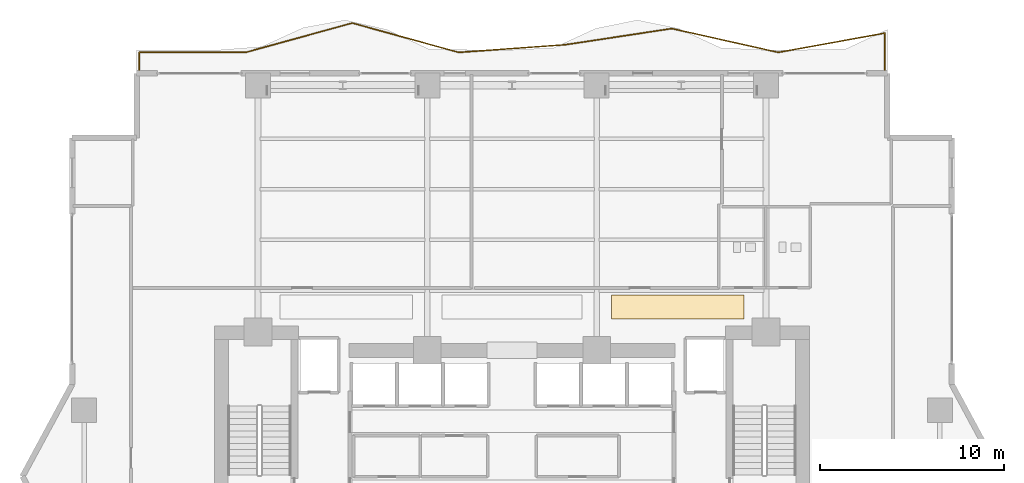
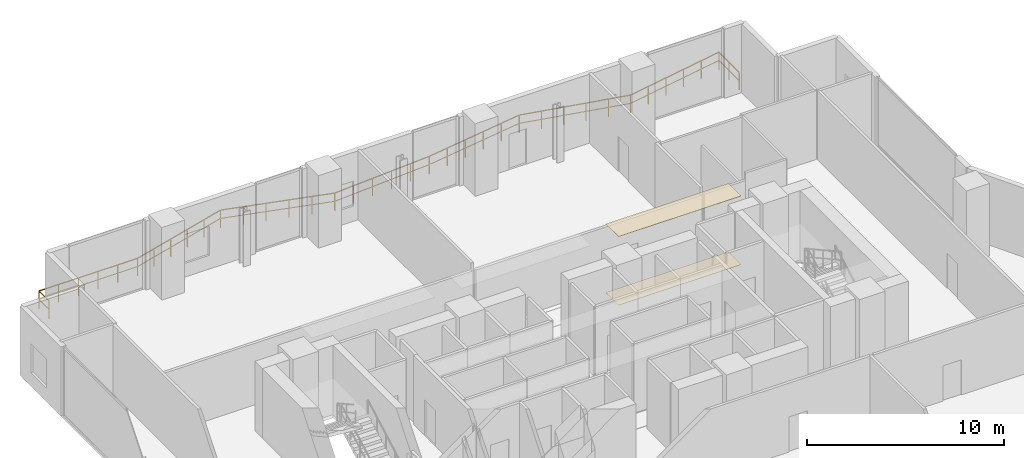
# One storey, part 32 of 33: 2 coverings, 1 railing.
"""IFC4 building model written with IfcOpenShell, lengths in metres."""

from ifc_helpers import new_model, si_unit, direction, frame, origin, origin_2d, place, context, subcontext, project, spatial, polyline, rectangle, outline, extrude, material, layer, layer_set, type_object, element, save


model = new_model("IFC4")

# Units and contexts
model_context = context("Model", 3, precision=1e-05, world=origin(), true_north=direction((0.0, 1.0)))
body_context = subcontext(model_context, "Body", "Model", "MODEL_VIEW")
ifc_project = project(units=[si_unit("LENGTHUNIT", "METRE"), si_unit("AREAUNIT", "SQUARE_METRE"), si_unit("VOLUMEUNIT", "CUBIC_METRE"), si_unit("PLANEANGLEUNIT", "RADIAN"), si_unit("MASSUNIT", "GRAM", prefix="KILO")], contexts=[model_context])

# Site, building, storey
site_placement = place(None, origin())
site = spatial("IfcSite", under=ifc_project, at=site_placement, CompositionType="ELEMENT")
building_placement = place(site_placement, origin())
building = spatial("IfcBuilding", under=site, at=building_placement, Name="Zuhayl Quay Hotel", CompositionType="ELEMENT")
storey_placement = place(building_placement, frame((0.0, 0.0, 154.050048828125)))
storey = spatial("IfcBuildingStorey", under=building, at=storey_placement, Name="L39", CompositionType="ELEMENT", Elevation=154.050048828125)

# Coverings
ifc_material_1 = material(Name="Acoustic Mineral-Fibre Gypsum Board")
ifc_layer_1 = layer(ifc_material_1, 0.02490234375, Name="Acoustic Mineral-Fibre Gypsum Board")
ifc_layer_set_1 = layer_set([ifc_layer_1], Name="Acoustic Mineral-Fibre Gypsum Board")
covering_type_1 = type_object("IfcCoveringType", Name="CV_CEIL_ACOUSTIC", PredefinedType="CEILING", material=ifc_layer_set_1)
covering_1_placement = place(storey_placement, frame((0.0, 0.0, 4.2548828125)))
element("IfcCovering", 1, at=covering_1_placement, inside=storey, type_object=covering_type_1, Name="L39 Guest Corridor Acoustic Ceiling CE", PredefinedType="CEILING", context=body_context, shape_type="SweptSolid", body=[
    extrude(outline(polyline([(5.39990234375, 15.050048828125), (12.60009765625, 15.050048828125), (12.60009765625, 16.35009765625), (5.39990234375, 16.35009765625), (5.39990234375, 15.050048828125)])), origin(), (0.0, 0.0, 1.0), 0.025146484375),
])
ifc_material_2 = material(Name="Polished Limestone Terrazzo", Category="masonry")
ifc_layer_2 = layer(ifc_material_2, 0.02001953125, Name="Polished Limestone Terrazzo", Category="masonry")
ifc_layer_set_2 = layer_set([ifc_layer_2], Name="Polished Limestone Terrazzo")
covering_type_2 = type_object("IfcCoveringType", Name="CV_FLOOR_TERRAZZO", PredefinedType="FLOORING", material=ifc_layer_set_2)
covering_2_placement = place(storey_placement, origin())
element("IfcCovering", 2, at=covering_2_placement, inside=storey, type_object=covering_type_2, Name="L39 Guest Corridor Terrazzo Runner CE", PredefinedType="FLOORING", context=body_context, shape_type="SweptSolid", body=[
    extrude(outline(polyline([(5.39990234375, 15.050048828125), (12.60009765625, 15.050048828125), (12.60009765625, 16.35009765625), (5.39990234375, 16.35009765625), (5.39990234375, 15.050048828125)])), origin(), (0.0, 0.0, 1.0), 0.02001953125),
])

# Railing
ifc_material_3 = material(Name="Anodised Aluminium and Laminated Glass", Category="aluminium")
railing_type = type_object("IfcRailingType", Name="RL_EXT_BAL_1100", PredefinedType="BALUSTRADE", material=ifc_material_3)
railing_placement = place(storey_placement, frame((-20.260009765625, 28.52001953125, 0.0)))
element("IfcRailing", 3, at=railing_placement, inside=storey, type_object=railing_type, Name="L39 Balcony and Terrace Guard GR_L39_BAL_N", PredefinedType="BALUSTRADE", context=body_context, shape_type="SweptSolid", body=[
    extrude(rectangle(XDim=0.048095703125, YDim=0.048095703125, at=origin_2d()), frame((0.0, 0.0, 1.09619140625), z_axis=(0.0, 1.0, 0.0), x_axis=(-1.0, 0.0, 0.0)), (0.0, 0.0, 1.0), 1.02001953125),
    extrude(rectangle(XDim=0.0361328125, YDim=0.0361328125, at=origin_2d()), frame((0.0, 0.0, 0.58251953125), z_axis=(0.0, 1.0, 0.0), x_axis=(-1.0, 0.0, 0.0)), (0.0, 0.0, 1.0), 1.02001953125),
    extrude(rectangle(XDim=0.048095703125, YDim=0.048095703125, at=origin_2d()), frame((0.0, 1.02001953125, 1.09619140625), z_axis=(1.0, 0.0, 0.0), x_axis=(0.0, 1.0, 0.0)), (0.0, 0.0, 1.0), 5.78857421875),
    extrude(rectangle(XDim=0.0361328125, YDim=0.0361328125, at=origin_2d()), frame((0.0, 1.02001953125, 0.58251953125), z_axis=(1.0, 0.0, 0.0), x_axis=(0.0, 1.0, 0.0)), (0.0, 0.0, 1.0), 5.78857421875),
    extrude(rectangle(XDim=0.048095703125, YDim=0.048095703125, at=origin_2d()), frame((5.78857421875, 1.02001953125, 1.09619140625), z_axis=(0.964103961857, 0.265525047277, 0.0), x_axis=(-0.265525047277, 0.964103961857, 0.0)), (0.0, 0.0, 1.0), 6.004150390625),
    extrude(rectangle(XDim=0.0361328125, YDim=0.0361328125, at=origin_2d()), frame((5.78857421875, 1.02001953125, 0.58251953125), z_axis=(0.964103961857, 0.265525047277, 0.0), x_axis=(-0.265525047277, 0.964103961857, 0.0)), (0.0, 0.0, 1.0), 6.004150390625),
    extrude(rectangle(XDim=0.048095703125, YDim=0.048095703125, at=origin_2d()), frame((11.5771484375, 2.6142578125, 1.09619140625), z_axis=(0.964103961857, -0.265525047277, 0.0), x_axis=(0.265525047277, 0.964103961857, 0.0)), (0.0, 0.0, 1.0), 6.004150390625),
    extrude(rectangle(XDim=0.0361328125, YDim=0.0361328125, at=origin_2d()), frame((11.5771484375, 2.6142578125, 0.58251953125), z_axis=(0.964103961857, -0.265525047277, 0.0), x_axis=(0.265525047277, 0.964103961857, 0.0)), (0.0, 0.0, 1.0), 6.004150390625),
    extrude(rectangle(XDim=0.048095703125, YDim=0.048095703125, at=origin_2d()), frame((17.36572265625, 1.02001953125, 1.09619140625), z_axis=(0.997424418504, 0.071725374675, 0.0), x_axis=(-0.071725374675, 0.997424418504, 0.0)), (0.0, 0.0, 1.0), 5.803466796875),
    extrude(rectangle(XDim=0.0361328125, YDim=0.0361328125, at=origin_2d()), frame((17.36572265625, 1.02001953125, 0.58251953125), z_axis=(0.997424418504, 0.071725374675, 0.0), x_axis=(-0.071725374675, 0.997424418504, 0.0)), (0.0, 0.0, 1.0), 5.803466796875),
    extrude(rectangle(XDim=0.048095703125, YDim=0.048095703125, at=origin_2d()), frame((23.154296875, 1.436279296875, 1.09619140625), z_axis=(0.988711947824, 0.14982884979, 0.0), x_axis=(-0.14982884979, 0.988711947824, 0.0)), (0.0, 0.0, 1.0), 5.854736328125),
    extrude(rectangle(XDim=0.0361328125, YDim=0.0361328125, at=origin_2d()), frame((23.154296875, 1.436279296875, 0.58251953125), z_axis=(0.988711947824, 0.14982884979, 0.0), x_axis=(-0.14982884979, 0.988711947824, 0.0)), (0.0, 0.0, 1.0), 5.854736328125),
    extrude(rectangle(XDim=0.048095703125, YDim=0.048095703125, at=origin_2d()), frame((28.94287109375, 2.3134765625, 1.09619140625), z_axis=(0.975932645512, -0.21807217022, 0.0), x_axis=(0.21807217022, 0.975932645512, 0.0)), (0.0, 0.0, 1.0), 5.931396484375),
    extrude(rectangle(XDim=0.0361328125, YDim=0.0361328125, at=origin_2d()), frame((28.94287109375, 2.3134765625, 0.58251953125), z_axis=(0.975932645512, -0.21807217022, 0.0), x_axis=(0.21807217022, 0.975932645512, 0.0)), (0.0, 0.0, 1.0), 5.931396484375),
    extrude(rectangle(XDim=0.048095703125, YDim=0.048095703125, at=origin_2d()), frame((34.7314453125, 1.02001953125, 1.09619140625), z_axis=(0.984000459752, 0.178165920444, 0.0), x_axis=(-0.178165920444, 0.984000459752, 0.0)), (0.0, 0.0, 1.0), 5.8828125),
    extrude(rectangle(XDim=0.0361328125, YDim=0.0361328125, at=origin_2d()), frame((34.7314453125, 1.02001953125, 0.58251953125), z_axis=(0.984000459752, 0.178165920444, 0.0), x_axis=(-0.178165920444, 0.984000459752, 0.0)), (0.0, 0.0, 1.0), 5.8828125),
    extrude(rectangle(XDim=0.048095703125, YDim=0.048095703125, at=origin_2d()), frame((40.52001953125, 2.068115234375, 1.09619140625), z_axis=(0.0, -1.0, 0.0), x_axis=(1.0, 0.0, 0.0)), (0.0, 0.0, 1.0), 2.068115234375),
    extrude(rectangle(XDim=0.0361328125, YDim=0.0361328125, at=origin_2d()), frame((40.52001953125, 2.068115234375, 0.58251953125), z_axis=(0.0, -1.0, 0.0), x_axis=(1.0, 0.0, 0.0)), (0.0, 0.0, 1.0), 2.068115234375),
    extrude(rectangle(XDim=0.0419921875, YDim=0.0419921875, at=origin_2d()), origin(), (0.0, 0.0, 1.0), 1.072021484375),
    extrude(rectangle(XDim=0.0419921875, YDim=0.0419921875, at=origin_2d()), frame((0.0, 1.02001953125, 0.0)), (0.0, 0.0, 1.0), 1.072021484375),
    extrude(rectangle(XDim=0.0419921875, YDim=0.0419921875, at=origin_2d()), frame((1.15771484375, 1.02001953125, 0.0)), (0.0, 0.0, 1.0), 1.072021484375),
    extrude(rectangle(XDim=0.0419921875, YDim=0.0419921875, at=origin_2d()), frame((2.3154296875, 1.02001953125, 0.0)), (0.0, 0.0, 1.0), 1.072021484375),
    extrude(rectangle(XDim=0.0419921875, YDim=0.0419921875, at=origin_2d()), frame((3.47314453125, 1.02001953125, 0.0)), (0.0, 0.0, 1.0), 1.072021484375),
    extrude(rectangle(XDim=0.0419921875, YDim=0.0419921875, at=origin_2d()), frame((4.630859375, 1.02001953125, 0.0)), (0.0, 0.0, 1.0), 1.072021484375),
    extrude(rectangle(XDim=0.0419921875, YDim=0.0419921875, at=origin_2d()), frame((5.78857421875, 1.02001953125, 0.0)), (0.0, 0.0, 1.0), 1.072021484375),
    extrude(rectangle(XDim=0.0419921875, YDim=0.0419921875, at=origin_2d()), frame((6.9462890625, 1.3388671875, 0.0)), (0.0, 0.0, 1.0), 1.072021484375),
    extrude(rectangle(XDim=0.0419921875, YDim=0.0419921875, at=origin_2d()), frame((8.10400390625, 1.65771484375, 0.0)), (0.0, 0.0, 1.0), 1.072021484375),
    extrude(rectangle(XDim=0.0419921875, YDim=0.0419921875, at=origin_2d()), frame((9.26171875, 1.9765625, 0.0)), (0.0, 0.0, 1.0), 1.072021484375),
    extrude(rectangle(XDim=0.0419921875, YDim=0.0419921875, at=origin_2d()), frame((10.41943359375, 2.29541015625, 0.0)), (0.0, 0.0, 1.0), 1.072021484375),
    extrude(rectangle(XDim=0.0419921875, YDim=0.0419921875, at=origin_2d()), frame((11.5771484375, 2.6142578125, 0.0)), (0.0, 0.0, 1.0), 1.072021484375),
    extrude(rectangle(XDim=0.0419921875, YDim=0.0419921875, at=origin_2d()), frame((12.73486328125, 2.29541015625, 0.0)), (0.0, 0.0, 1.0), 1.072021484375),
    extrude(rectangle(XDim=0.0419921875, YDim=0.0419921875, at=origin_2d()), frame((13.892578125, 1.9765625, 0.0)), (0.0, 0.0, 1.0), 1.072021484375),
    extrude(rectangle(XDim=0.0419921875, YDim=0.0419921875, at=origin_2d()), frame((15.05029296875, 1.65771484375, 0.0)), (0.0, 0.0, 1.0), 1.072021484375),
    extrude(rectangle(XDim=0.0419921875, YDim=0.0419921875, at=origin_2d()), frame((16.2080078125, 1.3388671875, 0.0)), (0.0, 0.0, 1.0), 1.072021484375),
    extrude(rectangle(XDim=0.0419921875, YDim=0.0419921875, at=origin_2d()), frame((17.36572265625, 1.02001953125, 0.0)), (0.0, 0.0, 1.0), 1.072021484375),
    extrude(rectangle(XDim=0.0419921875, YDim=0.0419921875, at=origin_2d()), frame((18.5234375, 1.103271484375, 0.0)), (0.0, 0.0, 1.0), 1.072021484375),
    extrude(rectangle(XDim=0.0419921875, YDim=0.0419921875, at=origin_2d()), frame((19.68115234375, 1.1865234375, 0.0)), (0.0, 0.0, 1.0), 1.072021484375),
    extrude(rectangle(XDim=0.0419921875, YDim=0.0419921875, at=origin_2d()), frame((20.8388671875, 1.269775390625, 0.0)), (0.0, 0.0, 1.0), 1.072021484375),
    extrude(rectangle(XDim=0.0419921875, YDim=0.0419921875, at=origin_2d()), frame((21.99658203125, 1.35302734375, 0.0)), (0.0, 0.0, 1.0), 1.072021484375),
    extrude(rectangle(XDim=0.0419921875, YDim=0.0419921875, at=origin_2d()), frame((23.154296875, 1.436279296875, 0.0)), (0.0, 0.0, 1.0), 1.072021484375),
    extrude(rectangle(XDim=0.0419921875, YDim=0.0419921875, at=origin_2d()), frame((24.31201171875, 1.61181640625, 0.0)), (0.0, 0.0, 1.0), 1.072021484375),
    extrude(rectangle(XDim=0.0419921875, YDim=0.0419921875, at=origin_2d()), frame((25.4697265625, 1.787109375, 0.0)), (0.0, 0.0, 1.0), 1.072021484375),
    extrude(rectangle(XDim=0.0419921875, YDim=0.0419921875, at=origin_2d()), frame((26.62744140625, 1.962646484375, 0.0)), (0.0, 0.0, 1.0), 1.072021484375),
    extrude(rectangle(XDim=0.0419921875, YDim=0.0419921875, at=origin_2d()), frame((27.78515625, 2.137939453125, 0.0)), (0.0, 0.0, 1.0), 1.072021484375),
    extrude(rectangle(XDim=0.0419921875, YDim=0.0419921875, at=origin_2d()), frame((28.94287109375, 2.3134765625, 0.0)), (0.0, 0.0, 1.0), 1.072021484375),
    extrude(rectangle(XDim=0.0419921875, YDim=0.0419921875, at=origin_2d()), frame((30.1005859375, 2.0546875, 0.0)), (0.0, 0.0, 1.0), 1.072021484375),
    extrude(rectangle(XDim=0.0419921875, YDim=0.0419921875, at=origin_2d()), frame((31.25830078125, 1.796142578125, 0.0)), (0.0, 0.0, 1.0), 1.072021484375),
    extrude(rectangle(XDim=0.0419921875, YDim=0.0419921875, at=origin_2d()), frame((32.416015625, 1.537353515625, 0.0)), (0.0, 0.0, 1.0), 1.072021484375),
    extrude(rectangle(XDim=0.0419921875, YDim=0.0419921875, at=origin_2d()), frame((33.57373046875, 1.27880859375, 0.0)), (0.0, 0.0, 1.0), 1.072021484375),
    extrude(rectangle(XDim=0.0419921875, YDim=0.0419921875, at=origin_2d()), frame((34.7314453125, 1.02001953125, 0.0)), (0.0, 0.0, 1.0), 1.072021484375),
    extrude(rectangle(XDim=0.0419921875, YDim=0.0419921875, at=origin_2d()), frame((35.88916015625, 1.229736328125, 0.0)), (0.0, 0.0, 1.0), 1.072021484375),
    extrude(rectangle(XDim=0.0419921875, YDim=0.0419921875, at=origin_2d()), frame((37.046875, 1.439208984375, 0.0)), (0.0, 0.0, 1.0), 1.072021484375),
    extrude(rectangle(XDim=0.0419921875, YDim=0.0419921875, at=origin_2d()), frame((38.20458984375, 1.64892578125, 0.0)), (0.0, 0.0, 1.0), 1.072021484375),
    extrude(rectangle(XDim=0.0419921875, YDim=0.0419921875, at=origin_2d()), frame((39.3623046875, 1.8583984375, 0.0)), (0.0, 0.0, 1.0), 1.072021484375),
    extrude(rectangle(XDim=0.0419921875, YDim=0.0419921875, at=origin_2d()), frame((40.52001953125, 2.068115234375, 0.0)), (0.0, 0.0, 1.0), 1.072021484375),
    extrude(rectangle(XDim=0.0419921875, YDim=0.0419921875, at=origin_2d()), frame((40.52001953125, 1.0341796875, 0.0)), (0.0, 0.0, 1.0), 1.072021484375),
    extrude(rectangle(XDim=0.0419921875, YDim=0.0419921875, at=origin_2d()), frame((40.52001953125, 0.0, 0.0)), (0.0, 0.0, 1.0), 1.072021484375),
])

save(model, "model.ifc")
